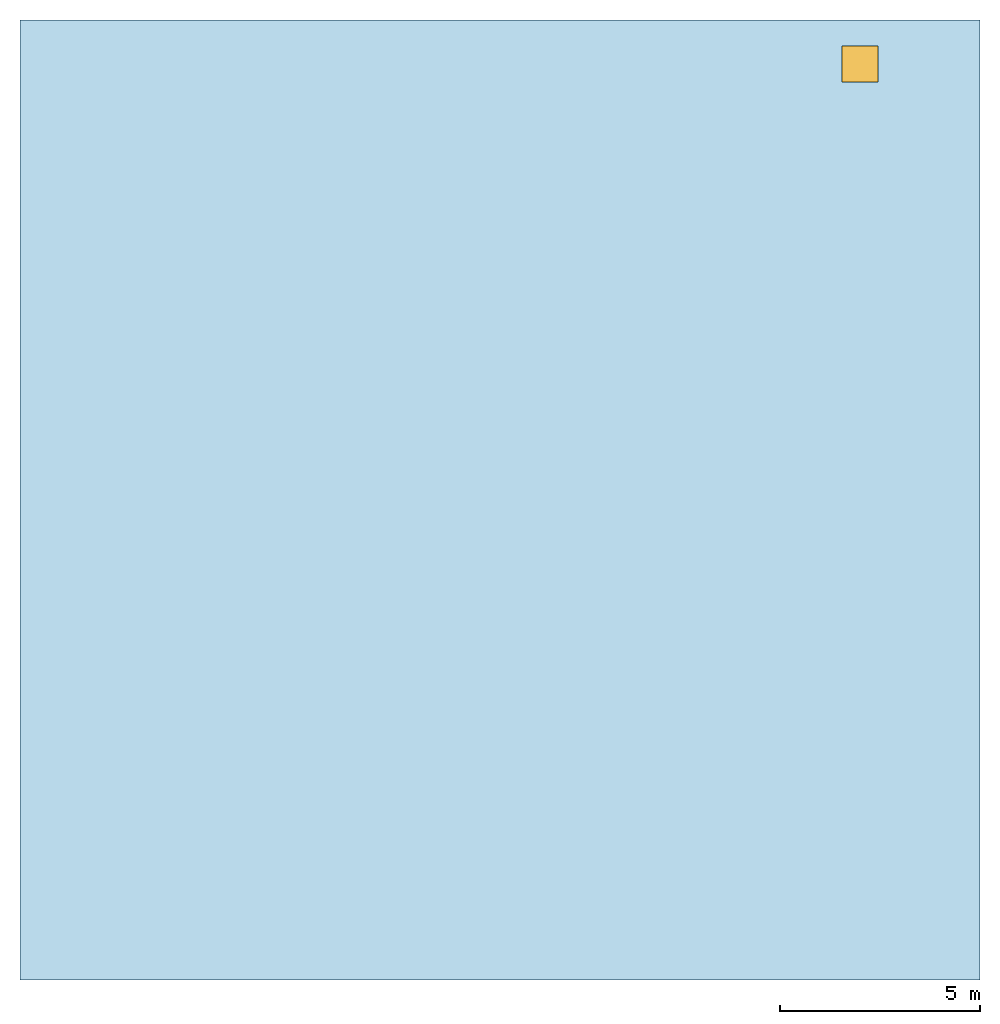
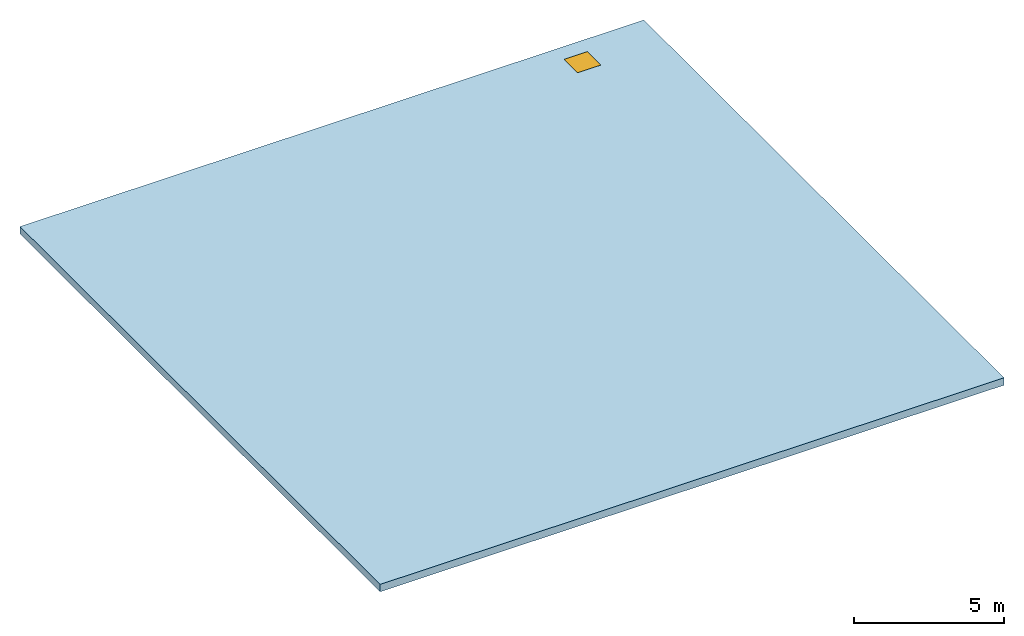
# One storey: 1 slab, 1 window, 1 opening.
"""IFC4 building model written with IfcOpenShell, lengths in metres."""

from ifc_helpers import new_model, si_unit, direction, frame, origin, origin_2d, place, context, subcontext, project, spatial, polyline, rectangle, outline, extrude, material, layer, layer_set, type_object, element, fill, save


model = new_model("IFC4")

# Units and contexts
model_context = context("Model", 3, precision=1e-05, world=origin(), true_north=direction((0.0, 1.0)))
body_context = subcontext(model_context, "Body", "Model", "MODEL_VIEW")
ifc_project = project(units=[si_unit("LENGTHUNIT", "METRE"), si_unit("AREAUNIT", "SQUARE_METRE"), si_unit("VOLUMEUNIT", "CUBIC_METRE"), si_unit("PLANEANGLEUNIT", "RADIAN"), si_unit("MASSUNIT", "GRAM", prefix="KILO")], contexts=[model_context])

# Site, building, storey
site_placement = place(None, origin())
site = spatial("IfcSite", under=ifc_project, at=site_placement, CompositionType="ELEMENT")
building_placement = place(site_placement, origin())
building = spatial("IfcBuilding", under=site, at=building_placement, Name="Amberfall Residences", CompositionType="ELEMENT")
storey_placement = place(building_placement, frame((0.0, 0.0, 308.800048828125)))
storey = spatial("IfcBuildingStorey", under=building, at=storey_placement, Name="ROOF", CompositionType="ELEMENT", Elevation=308.800048828125)

# Slab, opening, window
ifc_material_1 = material(Name="Concrete C50", Category="concrete")
ifc_layer = layer(ifc_material_1, 0.300048828125)
ifc_layer_set = layer_set([ifc_layer], Name="Roof slab 300 C50")
slab_type = type_object("IfcSlabType", Name="Roof slab 300 C50", PredefinedType="ROOF", material=ifc_layer_set)
slab_placement = place(storey_placement, frame((0.0, 0.0, -0.300048828125)))
slab = element("IfcSlab", 1, at=slab_placement, inside=storey, type_object=slab_type, Name="Roof slab S23 crown", PredefinedType="ROOF", context=body_context, shape_type="SweptSolid", body=[
    extrude(outline(polyline([(62.5, 33.5), (62.5, 57.5), (86.5, 57.5), (86.5, 33.5), (62.5, 33.5)]), holes=[polyline([(83.050048828125, 55.949951171875), (83.949951171875, 55.949951171875), (83.949951171875, 56.85009765625), (83.050048828125, 56.85009765625), (83.050048828125, 55.949951171875)])]), origin(), (0.0, 0.0, 1.0), 0.300048828125),
])
opening_placement = place(slab_placement, frame((83.5, 56.39990234375, 0.0)))
opening = element("IfcOpeningElement", 2, at=opening_placement, cuts=slab, Name="Opening RH1", PredefinedType="OPENING", context=body_context, shape_type="SweptSolid", body=[
    extrude(rectangle(XDim=0.89990234375, YDim=0.89990234375, at=origin_2d()), origin(), (0.0, 0.0, 1.0), 0.300048828125),
])
ifc_material_2 = material(Name="Aluminium roof hatch", Category="aluminium")
window_type = type_object("IfcWindowType", Name="Hatch 900x900", PartitioningType="SINGLE_PANEL", PredefinedType="SKYLIGHT", material=ifc_material_2)
window_placement = place(opening_placement, frame((0.0, 0.0, 0.25)))
window = element("IfcWindow", 3, at=window_placement, inside=storey, type_object=window_type, Name="Roof access hatch", OverallHeight=0.89990234375, OverallWidth=0.89990234375, PartitioningType="SINGLE_PANEL", PredefinedType="SKYLIGHT", context=body_context, shape_type="SweptSolid", body=[
    extrude(rectangle(XDim=0.89990234375, YDim=0.89990234375, at=origin_2d()), origin(), (0.0, 0.0, 1.0), 0.050048828125),
])
fill(opening, window)

save(model, "model.ifc")
